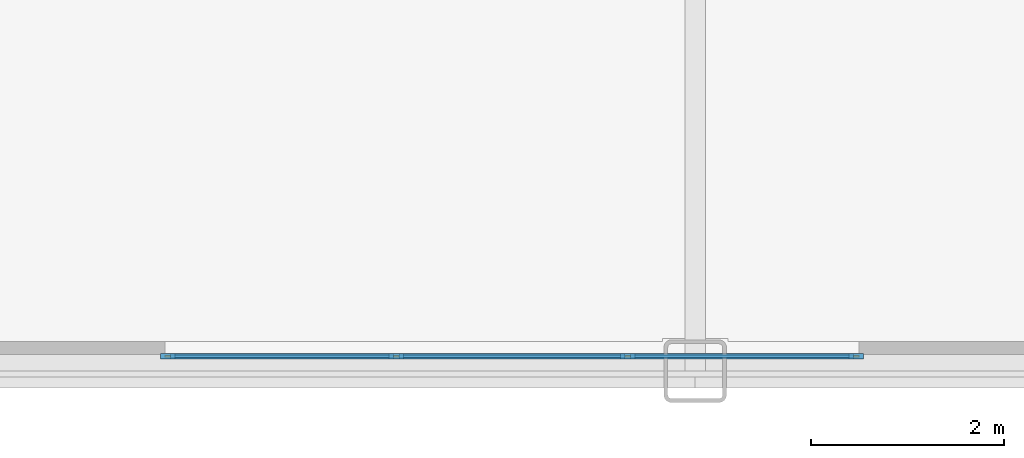
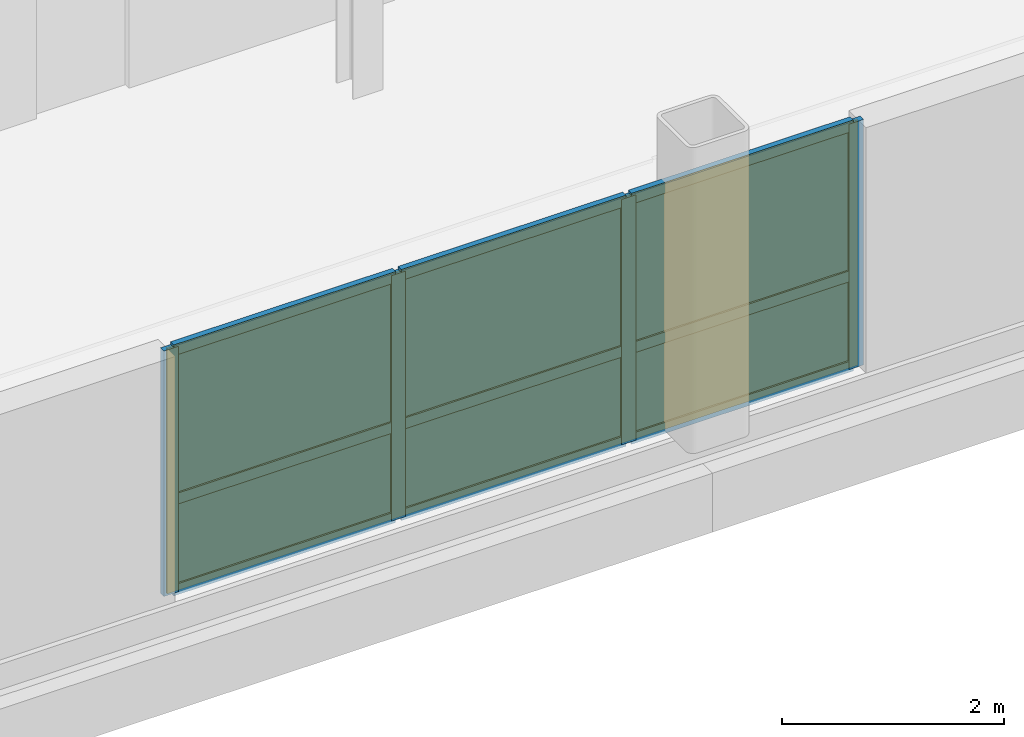
# One storey, part 11 of 17: 13 members, 6 plates, 1 curtain wall.
"""IFC4 building model written with IfcOpenShell, lengths in metres."""

from ifc_helpers import new_model, si_unit, direction, frame, frame_2d, origin, origin_2d, place, context, subcontext, project, spatial, rectangle, extrude, source, transform, mapped, material, layer, layer_set, material_profile, profile_set, type_object, type_shapes, element, aggregate, save


model = new_model("IFC4")

# Units and contexts
model_context = context("Model", 3, precision=1e-05, world=origin(), true_north=direction((0.0, 1.0)))
body_context = subcontext(model_context, "Body", "Model", "MODEL_VIEW")
ifc_project = project(units=[si_unit("LENGTHUNIT", "METRE"), si_unit("AREAUNIT", "SQUARE_METRE"), si_unit("VOLUMEUNIT", "CUBIC_METRE"), si_unit("PLANEANGLEUNIT", "RADIAN"), si_unit("MASSUNIT", "GRAM", prefix="KILO")], contexts=[model_context])

# Member
ifc_material_1 = material(Name="Anodised aluminium 6063-T6", Category="aluminium")
ifc_material_profile_1 = material_profile(ifc_material_1, rectangle(XDim=0.06005859375, YDim=0.14990234375, at=origin_2d()), Name="ALU-MULL-60x150")
ifc_profile_set_1 = profile_set([ifc_material_profile_1], Name="Anodised aluminium 6063-T6")
member_type_1 = type_object("IfcMemberType", Name="CWM-4", PredefinedType="MULLION", material=ifc_profile_set_1)
site_placement = place(None, origin())
building_placement = place(site_placement, origin())
storey_placement = place(building_placement, frame((0.0, 0.0, 167.64990234375)))
member_1_placement = place(storey_placement, frame((-5.469970703125, -23.044921875, 0.0), z_axis=(0.0, 0.0, 1.0), x_axis=(0.0, 1.0, 0.0)))
member_1 = element("IfcMember", 1, at=member_1_placement, type_object=member_type_1, Name="CWS-4 mullion 1", PredefinedType="MULLION", context=body_context, shape_type="SweptSolid", body=[
    extrude(rectangle(XDim=0.06005859375, YDim=0.14990234375, at=origin_2d()), origin(), (0.0, 0.0, 1.0), 2.705078125),
])

member_2_placement = place(storey_placement, frame((-3.10009765625, -23.044921875, 0.0), z_axis=(0.0, 0.0, 1.0), x_axis=(0.0, 1.0, 0.0)))
member_2 = element("IfcMember", 2, at=member_2_placement, type_object=member_type_1, Name="CWS-4 mullion 2", PredefinedType="MULLION", context=body_context, shape_type="SweptSolid", body=[
    extrude(rectangle(XDim=0.06005859375, YDim=0.14990234375, at=origin_2d()), origin(), (0.0, 0.0, 1.0), 2.705078125),
])

member_3_placement = place(storey_placement, frame((-0.699951171875, -23.044921875, 0.0), z_axis=(0.0, 0.0, 1.0), x_axis=(0.0, 1.0, 0.0)))
member_3 = element("IfcMember", 3, at=member_3_placement, type_object=member_type_1, Name="CWS-4 mullion 3", PredefinedType="MULLION", context=body_context, shape_type="SweptSolid", body=[
    extrude(rectangle(XDim=0.06005859375, YDim=0.14990234375, at=origin_2d()), origin(), (0.0, 0.0, 1.0), 2.705078125),
])

member_4_placement = place(storey_placement, frame((1.669921875, -23.044921875, 0.0), z_axis=(0.0, 0.0, 1.0), x_axis=(0.0, 1.0, 0.0)))
member_4 = element("IfcMember", 4, at=member_4_placement, type_object=member_type_1, Name="CWS-4 mullion 4", PredefinedType="MULLION", context=body_context, shape_type="SweptSolid", body=[
    extrude(rectangle(XDim=0.06005859375, YDim=0.14990234375, at=origin_2d()), origin(), (0.0, 0.0, 1.0), 2.705078125),
])

ifc_material_profile_2 = material_profile(ifc_material_1, rectangle(XDim=0.06005859375, YDim=0.1201171875, at=origin_2d()), Name="ALU-TRAN-60x120")
ifc_profile_set_2 = profile_set([ifc_material_profile_2], Name="Anodised aluminium 6063-T6")
member_type_2 = type_object("IfcMemberType", Name="CWT-4", PredefinedType="USERDEFINED", material=ifc_profile_set_2)
member_5_placement = place(storey_placement, frame((-5.43994140625, -23.044921875, 0.030029296875), z_axis=(1.0, 0.0, 0.0), x_axis=(0.0, 1.0, 0.0)))
member_5 = element("IfcMember", 5, at=member_5_placement, type_object=member_type_2, Name="CWS-4 transom 1.1", ObjectType="TRANSOM", PredefinedType="USERDEFINED", context=body_context, shape_type="SweptSolid", body=[
    extrude(rectangle(XDim=0.06005859375, YDim=0.1201171875, at=origin_2d()), origin(), (0.0, 0.0, 1.0), 2.31005859375),
])

member_6_placement = place(storey_placement, frame((-5.43994140625, -23.044921875, 1.028076171875), z_axis=(1.0, 0.0, 0.0), x_axis=(0.0, 1.0, 0.0)))
member_6 = element("IfcMember", 6, at=member_6_placement, type_object=member_type_2, Name="CWS-4 transom 1.2", ObjectType="TRANSOM", PredefinedType="USERDEFINED", context=body_context, shape_type="SweptSolid", body=[
    extrude(rectangle(XDim=0.06005859375, YDim=0.1201171875, at=origin_2d()), origin(), (0.0, 0.0, 1.0), 2.31005859375),
])

member_7_placement = place(storey_placement, frame((-5.43994140625, -23.044921875, 2.675048828125), z_axis=(1.0, 0.0, 0.0), x_axis=(0.0, 1.0, 0.0)))
member_7 = element("IfcMember", 7, at=member_7_placement, type_object=member_type_2, Name="CWS-4 transom 1.3", ObjectType="TRANSOM", PredefinedType="USERDEFINED", context=body_context, shape_type="SweptSolid", body=[
    extrude(rectangle(XDim=0.06005859375, YDim=0.1201171875, at=origin_2d()), origin(), (0.0, 0.0, 1.0), 2.31005859375),
])

member_8_placement = place(storey_placement, frame((-3.070068359375, -23.044921875, 0.030029296875), z_axis=(1.0, 0.0, 0.0), x_axis=(0.0, 1.0, 0.0)))
member_8 = element("IfcMember", 8, at=member_8_placement, type_object=member_type_2, Name="CWS-4 transom 2.1", ObjectType="TRANSOM", PredefinedType="USERDEFINED", context=body_context, shape_type="SweptSolid", body=[
    extrude(rectangle(XDim=0.06005859375, YDim=0.1201171875, at=origin_2d()), origin(), (0.0, 0.0, 1.0), 2.340087890625),
])

member_9_placement = place(storey_placement, frame((-3.070068359375, -23.044921875, 1.028076171875), z_axis=(1.0, 0.0, 0.0), x_axis=(0.0, 1.0, 0.0)))
member_9 = element("IfcMember", 9, at=member_9_placement, type_object=member_type_2, Name="CWS-4 transom 2.2", ObjectType="TRANSOM", PredefinedType="USERDEFINED", context=body_context, shape_type="SweptSolid", body=[
    extrude(rectangle(XDim=0.06005859375, YDim=0.1201171875, at=origin_2d()), origin(), (0.0, 0.0, 1.0), 2.340087890625),
])

member_10_placement = place(storey_placement, frame((-3.070068359375, -23.044921875, 2.675048828125), z_axis=(1.0, 0.0, 0.0), x_axis=(0.0, 1.0, 0.0)))
member_10 = element("IfcMember", 10, at=member_10_placement, type_object=member_type_2, Name="CWS-4 transom 2.3", ObjectType="TRANSOM", PredefinedType="USERDEFINED", context=body_context, shape_type="SweptSolid", body=[
    extrude(rectangle(XDim=0.06005859375, YDim=0.1201171875, at=origin_2d()), origin(), (0.0, 0.0, 1.0), 2.340087890625),
])

member_11_placement = place(storey_placement, frame((-0.669921875, -23.044921875, 0.030029296875), z_axis=(1.0, 0.0, 0.0), x_axis=(0.0, 1.0, 0.0)))
member_11 = element("IfcMember", 11, at=member_11_placement, type_object=member_type_2, Name="CWS-4 transom 3.1", ObjectType="TRANSOM", PredefinedType="USERDEFINED", context=body_context, shape_type="SweptSolid", body=[
    extrude(rectangle(XDim=0.06005859375, YDim=0.1201171875, at=origin_2d()), origin(), (0.0, 0.0, 1.0), 2.309814453125),
])

member_12_placement = place(storey_placement, frame((-0.669921875, -23.044921875, 1.028076171875), z_axis=(1.0, 0.0, 0.0), x_axis=(0.0, 1.0, 0.0)))
member_12 = element("IfcMember", 12, at=member_12_placement, type_object=member_type_2, Name="CWS-4 transom 3.2", ObjectType="TRANSOM", PredefinedType="USERDEFINED", context=body_context, shape_type="SweptSolid", body=[
    extrude(rectangle(XDim=0.06005859375, YDim=0.1201171875, at=origin_2d()), origin(), (0.0, 0.0, 1.0), 2.309814453125),
])

member_13_placement = place(storey_placement, frame((-0.669921875, -23.044921875, 2.675048828125), z_axis=(1.0, 0.0, 0.0), x_axis=(0.0, 1.0, 0.0)))
member_13 = element("IfcMember", 13, at=member_13_placement, type_object=member_type_2, Name="CWS-4 transom 3.3", ObjectType="TRANSOM", PredefinedType="USERDEFINED", context=body_context, shape_type="SweptSolid", body=[
    extrude(rectangle(XDim=0.06005859375, YDim=0.1201171875, at=origin_2d()), origin(), (0.0, 0.0, 1.0), 2.309814453125),
])

# Plate
ifc_material_2 = material(Name="Insulated solar-control glass", Category="glass")
ifc_layer_1 = layer(ifc_material_2, 0.02587890625, Name="CWP-4")
ifc_layer_set_1 = layer_set([ifc_layer_1], Name="Insulated solar-control glass")
plate_type = type_object("IfcPlateType", Name="CWP-4", PredefinedType="CURTAIN_PANEL", material=ifc_layer_set_1)
shared_shape_1 = source(origin(), body_context, "Body", "SweptSolid", [
    extrude(rectangle(XDim=2.31005859375, YDim=0.02587890625, at=origin_2d()), origin(), (0.0, 0.0, 1.0), 0.93798828125),
])
plate_1_placement = place(storey_placement, frame((-4.284912109375, -23.044921875, 0.06005859375), z_axis=(0.0, 0.0, 1.0), x_axis=(1.0, 0.0, 0.0)))
plate_1 = element("IfcPlate", 14, at=plate_1_placement, type_object=plate_type, Name="CWS-4 panel 1.1", PredefinedType="CURTAIN_PANEL", context=body_context, shape_type="MappedRepresentation", body=[
    mapped(shared_shape_1, transform((0.0, 0.0, 0.0), scale=1.0)),
])

plate_2_placement = place(storey_placement, frame((0.485107421875, -23.044921875, 0.06005859375), z_axis=(0.0, 0.0, 1.0), x_axis=(1.0, 0.0, 0.0)))
plate_2 = element("IfcPlate", 15, at=plate_2_placement, type_object=plate_type, Name="CWS-4 panel 3.1", PredefinedType="CURTAIN_PANEL", context=body_context, shape_type="MappedRepresentation", body=[
    mapped(shared_shape_1, transform((0.0, 0.0, 0.0), scale=1.0)),
])

shared_shape_2 = source(origin(), body_context, "Body", "SweptSolid", [
    extrude(rectangle(XDim=2.31005859375, YDim=0.02587890625, at=origin_2d()), origin(), (0.0, 0.0, 1.0), 1.587158203125),
])
plate_3_placement = place(storey_placement, frame((-4.284912109375, -23.044921875, 1.05810546875), z_axis=(0.0, 0.0, 1.0), x_axis=(1.0, 0.0, 0.0)))
plate_3 = element("IfcPlate", 16, at=plate_3_placement, type_object=plate_type, Name="CWS-4 panel 1.2", PredefinedType="CURTAIN_PANEL", context=body_context, shape_type="MappedRepresentation", body=[
    mapped(shared_shape_2, transform((0.0, 0.0, 0.0), scale=1.0)),
])

plate_4_placement = place(storey_placement, frame((0.485107421875, -23.044921875, 1.05810546875), z_axis=(0.0, 0.0, 1.0), x_axis=(1.0, 0.0, 0.0)))
plate_4 = element("IfcPlate", 17, at=plate_4_placement, type_object=plate_type, Name="CWS-4 panel 3.2", PredefinedType="CURTAIN_PANEL", context=body_context, shape_type="MappedRepresentation", body=[
    mapped(shared_shape_2, transform((0.0, 0.0, 0.0), scale=1.0)),
])

shared_shape_3 = source(origin(), body_context, "Body", "SweptSolid", [
    extrude(rectangle(XDim=2.340087890625, YDim=0.02587890625, at=origin_2d()), origin(), (0.0, 0.0, 1.0), 0.93798828125),
])
plate_5_placement = place(storey_placement, frame((-1.89990234375, -23.044921875, 0.06005859375), z_axis=(0.0, 0.0, 1.0), x_axis=(1.0, 0.0, 0.0)))
plate_5 = element("IfcPlate", 18, at=plate_5_placement, type_object=plate_type, Name="CWS-4 panel 2.1", PredefinedType="CURTAIN_PANEL", context=body_context, shape_type="MappedRepresentation", body=[
    mapped(shared_shape_3, transform((0.0, 0.0, 0.0), scale=1.0)),
])

shared_shape_4 = source(origin(), body_context, "Body", "SweptSolid", [
    extrude(rectangle(XDim=2.340087890625, YDim=0.02587890625, at=origin_2d()), origin(), (0.0, 0.0, 1.0), 1.587158203125),
])
type_shapes(plate_type, [shared_shape_1, shared_shape_2, shared_shape_3, shared_shape_4])
plate_6_placement = place(storey_placement, frame((-1.89990234375, -23.044921875, 1.05810546875), z_axis=(0.0, 0.0, 1.0), x_axis=(1.0, 0.0, 0.0)))
plate_6 = element("IfcPlate", 19, at=plate_6_placement, type_object=plate_type, Name="CWS-4 panel 2.2", PredefinedType="CURTAIN_PANEL", context=body_context, shape_type="MappedRepresentation", body=[
    mapped(shared_shape_4, transform((0.0, 0.0, 0.0), scale=1.0)),
])

# Site, building, storey
site = spatial("IfcSite", under=ifc_project, at=site_placement, CompositionType="ELEMENT")
building = spatial("IfcBuilding", under=site, at=building_placement, Name="Nuvemarco Arch Tower", CompositionType="ELEMENT")
storey = spatial("IfcBuildingStorey", under=building, at=storey_placement, Name="L44", CompositionType="ELEMENT", Elevation=167.64990234375)

# Curtain wall
ifc_layer_2 = layer(ifc_material_2, 0.14990234375, Name="CW-SYS-4")
ifc_layer_set_2 = layer_set([ifc_layer_2], Name="Insulated solar-control glass")
curtain_wall_type = type_object("IfcCurtainWallType", Name="CW-SYS-4", PredefinedType="NOTDEFINED", material=ifc_layer_set_2)
curtain_wall_placement = place(storey_placement, frame((-5.5, -23.044921875, 0.0), z_axis=(0.0, 0.0, 1.0), x_axis=(1.0, 0.0, 0.0)))
curtain_wall = element("IfcCurtainWall", 20, at=curtain_wall_placement, inside=storey, type_object=curtain_wall_type, Name="L44 curtain wall CWS-4", PredefinedType="NOTDEFINED", context=body_context, shape_type="SweptSolid", body=[
    extrude(rectangle(XDim=7.199951171875, YDim=0.02001953125, at=frame_2d((3.60009765625, 0.0))), origin(), (0.0, 0.0, 1.0), 2.705078125),
])

aggregate(curtain_wall, [member_1, member_2, member_3, member_4, member_5, member_6, member_7, plate_1, plate_3, member_8, member_9, member_10, plate_5, plate_6, member_11, member_12, member_13, plate_2, plate_4])

save(model, "model.ifc")
